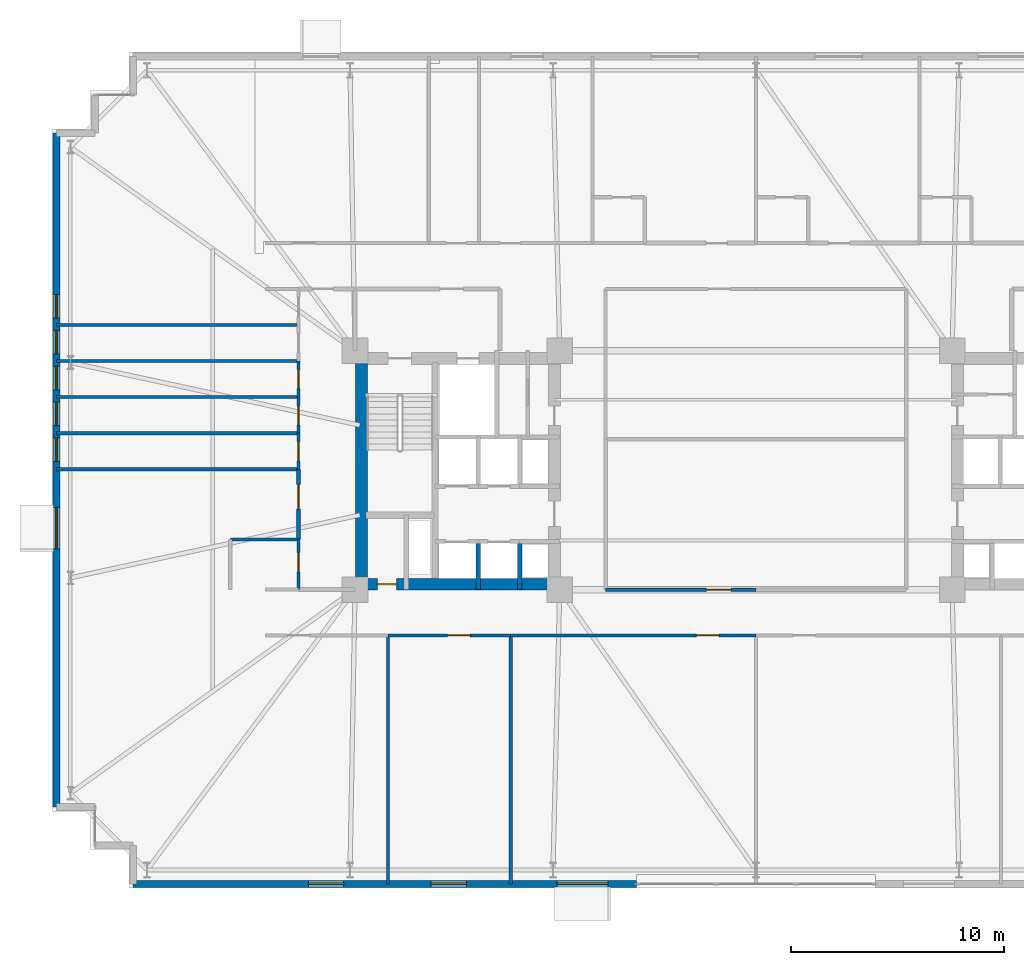
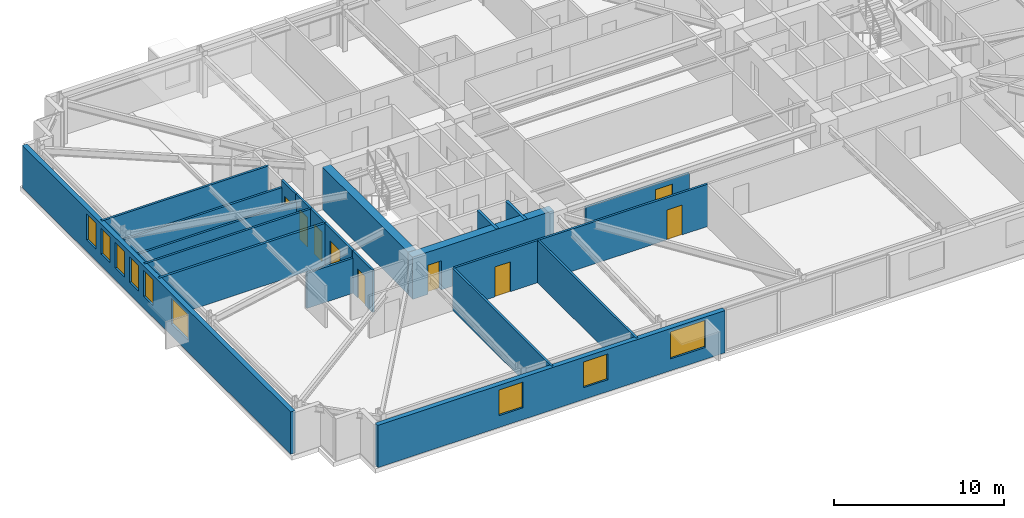
# One storey, part 18 of 26: 22 walls, 9 doors, 9 windows, 18 openings.
"""IFC4 building model written with IfcOpenShell, lengths in metres."""

from ifc_helpers import new_model, si_unit, direction, frame, frame_2d, origin, place, context, subcontext, project, spatial, rectangle, extrude, material, layer, layer_set, type_object, element, fill, save


model = new_model("IFC4")

# Units and contexts
model_context = context("Model", 3, precision=1e-05, world=origin(), true_north=direction((0.0, 1.0)))
body_context = subcontext(model_context, "Body", "Model", "MODEL_VIEW")
ifc_project = project(units=[si_unit("LENGTHUNIT", "METRE"), si_unit("AREAUNIT", "SQUARE_METRE"), si_unit("VOLUMEUNIT", "CUBIC_METRE"), si_unit("PLANEANGLEUNIT", "RADIAN"), si_unit("MASSUNIT", "GRAM", prefix="KILO")], contexts=[model_context])

# Site, building, storey
site_placement = place(None, origin())
site = spatial("IfcSite", under=ifc_project, at=site_placement, CompositionType="ELEMENT")
building_placement = place(site_placement, origin())
building = spatial("IfcBuilding", under=site, at=building_placement, Name="Qobustan Lattice House", CompositionType="ELEMENT")
storey_placement = place(building_placement, frame((0.0, 0.0, 47.10009765625)))
storey = spatial("IfcBuildingStorey", under=building, at=storey_placement, Name="L12", CompositionType="ELEMENT", Elevation=47.10009765625)

# Wall, opening, door
ifc_material_1 = material(Name="Concrete C60/75", Category="concrete")
ifc_layer_1 = layer(ifc_material_1, 0.56005859375)
ifc_layer_set_1 = layer_set([ifc_layer_1], Name="Concrete C60/75")
wall_type_1 = type_object("IfcWallType", Name="WAL-CORE-600", PredefinedType="SHEAR", material=ifc_layer_set_1)
wall_1_placement = place(storey_placement, frame((-18.800048828125, -5.35009765625, 0.0), z_axis=(0.0, 0.0, 1.0), x_axis=(1.0, 0.0, 0.0)))
wall_1 = element("IfcWall", 1, at=wall_1_placement, inside=storey, type_object=wall_type_1, Name="L12 split-core shear wall CW-S", PredefinedType="SHEAR", context=body_context, shape_type="SweptSolid", body=[
    extrude(rectangle(XDim=9.60009765625, YDim=0.56005859375, at=frame_2d((4.800048828125, 0.0))), origin(), (0.0, 0.0, 1.0), 3.034912109375),
])
opening_1_placement = place(wall_1_placement, frame((1.050048828125, 0.0, 0.0)))
opening_1 = element("IfcOpeningElement", 2, at=opening_1_placement, cuts=wall_1, Name="Opening RD-01", PredefinedType="OPENING", context=body_context, shape_type="SweptSolid", body=[
    extrude(rectangle(XDim=0.89990234375, YDim=2.10009765625, at=frame_2d((0.449951171875, 1.050048828125))), frame((0.0, 0.2900390625, 0.0), z_axis=(0.0, -1.0, 0.0), x_axis=(1.0, 0.0, 0.0)), (0.0, 0.0, 1.0), 0.580078125),
])
ifc_material_2 = material(Name="Persian walnut timber and steel frame door", Category="steel")
door_type_1 = type_object("IfcDoorType", Name="DOR-RISER-FD-900x2100", OperationType="NOTDEFINED", PredefinedType="DOOR", material=ifc_material_2)
door_1_placement = place(opening_1_placement, origin())
door_1 = element("IfcDoor", 3, at=door_1_placement, inside=storey, type_object=door_type_1, Name="L12 core service riser access door W", OperationType="SINGLE_SWING_RIGHT", OverallHeight=2.10009765625, OverallWidth=0.89990234375, PredefinedType="DOOR", context=body_context, shape_type="SweptSolid", body=[
    extrude(rectangle(XDim=0.89990234375, YDim=2.10009765625, at=frame_2d((0.449951171875, 1.050048828125))), frame((0.0, 0.02490234375, 0.0), z_axis=(0.0, -1.0, 0.0), x_axis=(1.0, 0.0, 0.0)), (0.0, 0.0, 1.0), 0.050048828125),
])
fill(opening_1, door_1)

# Wall
wall_2_placement = place(storey_placement, frame((-18.489990234375, -5.050048828125, 0.0), z_axis=(0.0, 0.0, 1.0), x_axis=(0.0, 1.0, 0.0)))
element("IfcWall", 4, at=wall_2_placement, inside=storey, type_object=wall_type_1, Name="L12 split-core shear wall CW-W", PredefinedType="SHEAR", context=body_context, shape_type="SweptSolid", body=[
    extrude(rectangle(XDim=10.10009765625, YDim=0.56005859375, at=frame_2d((5.050048828125, 0.0))), origin(), (0.0, 0.0, 1.0), 3.034912109375),
])

# Wall, openings, windows
ifc_material_3 = material(Name="Precast concrete C40/50", Category="concrete")
ifc_layer_2 = layer(ifc_material_3, 0.320068359375)
ifc_layer_set_2 = layer_set([ifc_layer_2], Name="Precast concrete C40/50")
wall_type_2 = type_object("IfcWallType", Name="WAL-EXT-STONE-320", PredefinedType="SOLIDWALL", material=ifc_layer_set_2)
wall_3_placement = place(storey_placement, frame((-32.800048828125, -15.800048828125, 0.0), z_axis=(0.0, 0.0, 1.0), x_axis=(0.0, 1.0, 0.0)))
wall_3 = element("IfcWall", 5, at=wall_3_placement, inside=storey, type_object=wall_type_2, Name="L12 exterior limestone-clad wall 5", PredefinedType="SOLIDWALL", context=body_context, shape_type="SweptSolid", body=[
    extrude(rectangle(XDim=31.60009765625, YDim=0.320068359375, at=frame_2d((15.800048828125, 0.0))), origin(), (0.0, 0.0, 1.0), 3.034912109375),
])
opening_2_placement = place(wall_3_placement, frame((12.10498046875, 0.0, 0.85009765625)))
opening_2 = element("IfcOpeningElement", 6, at=opening_2_placement, cuts=wall_3, Name="Opening WN-08", PredefinedType="OPENING", context=body_context, shape_type="SweptSolid", body=[
    extrude(rectangle(XDim=1.949951171875, YDim=1.85009765625, at=frame_2d((0.97509765625, 0.925048828125))), frame((0.0, 0.169921875, 0.0), z_axis=(0.0, -1.0, 0.0), x_axis=(1.0, 0.0, 0.0)), (0.0, 0.0, 1.0), 0.340087890625),
])
opening_3_placement = place(wall_3_placement, frame((16.2099609375, 0.0, 0.85009765625)))
opening_3 = element("IfcOpeningElement", 7, at=opening_3_placement, cuts=wall_3, Name="Opening WN-04", PredefinedType="OPENING", context=body_context, shape_type="SweptSolid", body=[
    extrude(rectangle(XDim=1.10009765625, YDim=1.85009765625, at=frame_2d((0.550048828125, 0.925048828125))), frame((0.0, 0.169921875, 0.0), z_axis=(0.0, -1.0, 0.0), x_axis=(1.0, 0.0, 0.0)), (0.0, 0.0, 1.0), 0.340087890625),
])
opening_4_placement = place(wall_3_placement, frame((17.889892578125, 0.0, 0.85009765625)))
opening_4 = element("IfcOpeningElement", 8, at=opening_4_placement, cuts=wall_3, Name="Opening WN-04", PredefinedType="OPENING", context=body_context, shape_type="SweptSolid", body=[
    extrude(rectangle(XDim=1.10009765625, YDim=1.85009765625, at=frame_2d((0.550048828125, 0.925048828125))), frame((0.0, 0.169921875, 0.0), z_axis=(0.0, -1.0, 0.0), x_axis=(1.0, 0.0, 0.0)), (0.0, 0.0, 1.0), 0.340087890625),
])
opening_5_placement = place(wall_3_placement, frame((19.570068359375, 0.0, 0.85009765625)))
opening_5 = element("IfcOpeningElement", 9, at=opening_5_placement, cuts=wall_3, Name="Opening WN-04", PredefinedType="OPENING", context=body_context, shape_type="SweptSolid", body=[
    extrude(rectangle(XDim=1.10009765625, YDim=1.85009765625, at=frame_2d((0.550048828125, 0.925048828125))), frame((0.0, 0.169921875, 0.0), z_axis=(0.0, -1.0, 0.0), x_axis=(1.0, 0.0, 0.0)), (0.0, 0.0, 1.0), 0.340087890625),
])
opening_6_placement = place(wall_3_placement, frame((21.25, 0.0, 0.85009765625)))
opening_6 = element("IfcOpeningElement", 10, at=opening_6_placement, cuts=wall_3, Name="Opening WN-04", PredefinedType="OPENING", context=body_context, shape_type="SweptSolid", body=[
    extrude(rectangle(XDim=1.10009765625, YDim=1.85009765625, at=frame_2d((0.550048828125, 0.925048828125))), frame((0.0, 0.169921875, 0.0), z_axis=(0.0, -1.0, 0.0), x_axis=(1.0, 0.0, 0.0)), (0.0, 0.0, 1.0), 0.340087890625),
])
opening_7_placement = place(wall_3_placement, frame((22.929931640625, 0.0, 0.85009765625)))
opening_7 = element("IfcOpeningElement", 11, at=opening_7_placement, cuts=wall_3, Name="Opening WN-04", PredefinedType="OPENING", context=body_context, shape_type="SweptSolid", body=[
    extrude(rectangle(XDim=1.10009765625, YDim=1.85009765625, at=frame_2d((0.550048828125, 0.925048828125))), frame((0.0, 0.169921875, 0.0), z_axis=(0.0, -1.0, 0.0), x_axis=(1.0, 0.0, 0.0)), (0.0, 0.0, 1.0), 0.340087890625),
])
ifc_material_4 = material(Name="Double-glazed low-E aluminium window", Category="aluminium")
window_type_1 = type_object("IfcWindowType", Name="WIN-KIT-1950x1850", PartitioningType="SINGLE_PANEL", PredefinedType="WINDOW", material=ifc_material_4)
window_1_placement = place(opening_2_placement, origin())
window_1 = element("IfcWindow", 12, at=window_1_placement, inside=storey, type_object=window_type_1, Name="L12 Shared kitchen L12W window", OverallHeight=1.85009765625, OverallWidth=1.949951171875, PartitioningType="SINGLE_PANEL", PredefinedType="WINDOW", context=body_context, shape_type="SweptSolid", body=[
    extrude(rectangle(XDim=1.949951171875, YDim=1.85009765625, at=frame_2d((0.97509765625, 0.925048828125))), frame((0.0, 0.030029296875, 0.0), z_axis=(0.0, -1.0, 0.0), x_axis=(1.0, 0.0, 0.0)), (0.0, 0.0, 1.0), 0.06005859375),
])
fill(opening_2, window_1)
ifc_material_5 = material(Name="Double-glazed low-E aluminium window", Category="aluminium")
window_type_2 = type_object("IfcWindowType", Name="WIN-NAR-1100x1850", PartitioningType="SINGLE_PANEL", PredefinedType="WINDOW", material=ifc_material_5)
window_2_placement = place(opening_3_placement, origin())
window_2 = element("IfcWindow", 13, at=window_2_placement, inside=storey, type_object=window_type_2, Name="L12 Cluster bedroom L12W1 window", OverallHeight=1.85009765625, OverallWidth=1.10009765625, PartitioningType="SINGLE_PANEL", PredefinedType="WINDOW", context=body_context, shape_type="SweptSolid", body=[
    extrude(rectangle(XDim=1.10009765625, YDim=1.85009765625, at=frame_2d((0.550048828125, 0.925048828125))), frame((0.0, 0.030029296875, 0.0), z_axis=(0.0, -1.0, 0.0), x_axis=(1.0, 0.0, 0.0)), (0.0, 0.0, 1.0), 0.06005859375),
])
fill(opening_3, window_2)
window_3_placement = place(opening_4_placement, origin())
window_3 = element("IfcWindow", 14, at=window_3_placement, inside=storey, type_object=window_type_2, Name="L12 Cluster bedroom L12W2 window", OverallHeight=1.85009765625, OverallWidth=1.10009765625, PartitioningType="SINGLE_PANEL", PredefinedType="WINDOW", context=body_context, shape_type="SweptSolid", body=[
    extrude(rectangle(XDim=1.10009765625, YDim=1.85009765625, at=frame_2d((0.550048828125, 0.925048828125))), frame((0.0, 0.030029296875, 0.0), z_axis=(0.0, -1.0, 0.0), x_axis=(1.0, 0.0, 0.0)), (0.0, 0.0, 1.0), 0.06005859375),
])
fill(opening_4, window_3)
window_4_placement = place(opening_5_placement, origin())
window_4 = element("IfcWindow", 15, at=window_4_placement, inside=storey, type_object=window_type_2, Name="L12 Cluster bedroom L12W3 window", OverallHeight=1.85009765625, OverallWidth=1.10009765625, PartitioningType="SINGLE_PANEL", PredefinedType="WINDOW", context=body_context, shape_type="SweptSolid", body=[
    extrude(rectangle(XDim=1.10009765625, YDim=1.85009765625, at=frame_2d((0.550048828125, 0.925048828125))), frame((0.0, 0.030029296875, 0.0), z_axis=(0.0, -1.0, 0.0), x_axis=(1.0, 0.0, 0.0)), (0.0, 0.0, 1.0), 0.06005859375),
])
fill(opening_5, window_4)
window_5_placement = place(opening_6_placement, origin())
window_5 = element("IfcWindow", 16, at=window_5_placement, inside=storey, type_object=window_type_2, Name="L12 Cluster bedroom L12W4 window", OverallHeight=1.85009765625, OverallWidth=1.10009765625, PartitioningType="SINGLE_PANEL", PredefinedType="WINDOW", context=body_context, shape_type="SweptSolid", body=[
    extrude(rectangle(XDim=1.10009765625, YDim=1.85009765625, at=frame_2d((0.550048828125, 0.925048828125))), frame((0.0, 0.030029296875, 0.0), z_axis=(0.0, -1.0, 0.0), x_axis=(1.0, 0.0, 0.0)), (0.0, 0.0, 1.0), 0.06005859375),
])
fill(opening_6, window_5)
window_6_placement = place(opening_7_placement, origin())
window_6 = element("IfcWindow", 17, at=window_6_placement, inside=storey, type_object=window_type_2, Name="L12 Cluster bedroom L12W5 window", OverallHeight=1.85009765625, OverallWidth=1.10009765625, PartitioningType="SINGLE_PANEL", PredefinedType="WINDOW", context=body_context, shape_type="SweptSolid", body=[
    extrude(rectangle(XDim=1.10009765625, YDim=1.85009765625, at=frame_2d((0.550048828125, 0.925048828125))), frame((0.0, 0.030029296875, 0.0), z_axis=(0.0, -1.0, 0.0), x_axis=(1.0, 0.0, 0.0)), (0.0, 0.0, 1.0), 0.06005859375),
])
fill(opening_7, window_6)

wall_4_placement = place(storey_placement, frame((-5.60009765625, -19.39990234375, 0.0), z_axis=(0.0, 0.0, 1.0), x_axis=(-1.0, 0.0, 0.0)))
wall_4 = element("IfcWall", 18, at=wall_4_placement, inside=storey, type_object=wall_type_2, Name="L12 iwan flank stone wall B", PredefinedType="SOLIDWALL", context=body_context, shape_type="SweptSolid", body=[
    extrude(rectangle(XDim=23.599853515625, YDim=0.320068359375, at=frame_2d((11.7998046875, 0.0))), origin(), (0.0, 0.0, 1.0), 3.034912109375),
])
opening_8_placement = place(wall_4_placement, frame((1.330078125, 0.0, 0.85009765625)))
opening_8 = element("IfcOpeningElement", 19, at=opening_8_placement, cuts=wall_4, Name="Opening WN-10", PredefinedType="OPENING", context=body_context, shape_type="SweptSolid", body=[
    extrude(rectangle(XDim=2.39990234375, YDim=1.949951171875, at=frame_2d((1.199951171875, 0.97509765625))), frame((0.0, 0.169921875, 0.0), z_axis=(0.0, -1.0, 0.0), x_axis=(1.0, 0.0, 0.0)), (0.0, 0.0, 1.0), 0.340087890625),
])
opening_9_placement = place(wall_4_placement, frame((7.97509765625, 0.0, 0.85009765625)))
opening_9 = element("IfcOpeningElement", 20, at=opening_9_placement, cuts=wall_4, Name="Opening WN-09", PredefinedType="OPENING", context=body_context, shape_type="SweptSolid", body=[
    extrude(rectangle(XDim=1.64990234375, YDim=1.85009765625, at=frame_2d((0.824951171875, 0.925048828125))), frame((0.0, 0.169921875, 0.0), z_axis=(0.0, -1.0, 0.0), x_axis=(1.0, 0.0, 0.0)), (0.0, 0.0, 1.0), 0.340087890625),
])
opening_10_placement = place(wall_4_placement, frame((13.735107421875, 0.0, 0.85009765625)))
opening_10 = element("IfcOpeningElement", 21, at=opening_10_placement, cuts=wall_4, Name="Opening WN-09", PredefinedType="OPENING", context=body_context, shape_type="SweptSolid", body=[
    extrude(rectangle(XDim=1.64990234375, YDim=1.85009765625, at=frame_2d((0.824951171875, 0.925048828125))), frame((0.0, 0.169921875, 0.0), z_axis=(0.0, -1.0, 0.0), x_axis=(1.0, 0.0, 0.0)), (0.0, 0.0, 1.0), 0.340087890625),
])
ifc_material_6 = material(Name="Double-glazed low-E aluminium window", Category="aluminium")
window_type_3 = type_object("IfcWindowType", Name="WIN-LNG-2400x1950", PartitioningType="SINGLE_PANEL", PredefinedType="WINDOW", material=ifc_material_6)
window_7_placement = place(opening_8_placement, origin())
window_7 = element("IfcWindow", 22, at=window_7_placement, inside=storey, type_object=window_type_3, Name="L12 Walnut iwan sky lounge S2 window", OverallHeight=1.949951171875, OverallWidth=2.39990234375, PartitioningType="SINGLE_PANEL", PredefinedType="WINDOW", context=body_context, shape_type="SweptSolid", body=[
    extrude(rectangle(XDim=2.39990234375, YDim=1.949951171875, at=frame_2d((1.199951171875, 0.97509765625))), frame((0.0, 0.030029296875, 0.0), z_axis=(0.0, -1.0, 0.0), x_axis=(1.0, 0.0, 0.0)), (0.0, 0.0, 1.0), 0.06005859375),
])
fill(opening_8, window_7)
ifc_material_7 = material(Name="Double-glazed low-E aluminium window", Category="aluminium")
window_type_4 = type_object("IfcWindowType", Name="WIN-STU-1650x1850", PartitioningType="SINGLE_PANEL", PredefinedType="WINDOW", material=ifc_material_7)
window_8_placement = place(opening_9_placement, origin())
window_8 = element("IfcWindow", 23, at=window_8_placement, inside=storey, type_object=window_type_4, Name="L12 Focus study room S1B window", OverallHeight=1.85009765625, OverallWidth=1.64990234375, PartitioningType="SINGLE_PANEL", PredefinedType="WINDOW", context=body_context, shape_type="SweptSolid", body=[
    extrude(rectangle(XDim=1.64990234375, YDim=1.85009765625, at=frame_2d((0.824951171875, 0.925048828125))), frame((0.0, 0.030029296875, 0.0), z_axis=(0.0, -1.0, 0.0), x_axis=(1.0, 0.0, 0.0)), (0.0, 0.0, 1.0), 0.06005859375),
])
fill(opening_9, window_8)
window_9_placement = place(opening_10_placement, origin())
window_9 = element("IfcWindow", 24, at=window_9_placement, inside=storey, type_object=window_type_4, Name="L12 Focus study room S1A window", OverallHeight=1.85009765625, OverallWidth=1.64990234375, PartitioningType="SINGLE_PANEL", PredefinedType="WINDOW", context=body_context, shape_type="SweptSolid", body=[
    extrude(rectangle(XDim=1.64990234375, YDim=1.85009765625, at=frame_2d((0.824951171875, 0.925048828125))), frame((0.0, 0.030029296875, 0.0), z_axis=(0.0, -1.0, 0.0), x_axis=(1.0, 0.0, 0.0)), (0.0, 0.0, 1.0), 0.06005859375),
])
fill(opening_10, window_9)

# Wall, opening, door
ifc_material_8 = material(Name="Acoustic twin-stud gypsum partition", Category="gypsum")
ifc_layer_3 = layer(ifc_material_8, 0.14990234375)
ifc_layer_set_3 = layer_set([ifc_layer_3], Name="Acoustic twin-stud gypsum partition")
wall_type_3 = type_object("IfcWallType", Name="WAL-PART-150", PredefinedType="PARTITIONING", material=ifc_layer_set_3)
wall_5_placement = place(storey_placement, frame((-11.5, -7.75, 0.0), z_axis=(0.0, 0.0, 1.0), x_axis=(-1.0, 0.0, 0.0)))
wall_5 = element("IfcWall", 25, at=wall_5_placement, inside=storey, type_object=wall_type_3, Name="L12 interior partition 57", PredefinedType="PARTITIONING", context=body_context, shape_type="SweptSolid", body=[
    extrude(rectangle(XDim=5.75, YDim=0.14990234375, at=frame_2d((2.875, 0.0))), origin(), (0.0, 0.0, 1.0), 3.034912109375),
])
opening_11_placement = place(wall_5_placement, frame((1.907470703125, 0.0, 0.0)))
opening_11 = element("IfcOpeningElement", 26, at=opening_11_placement, cuts=wall_5, Name="Opening ID-02", PredefinedType="OPENING", context=body_context, shape_type="SweptSolid", body=[
    extrude(rectangle(XDim=1.050048828125, YDim=2.14990234375, at=frame_2d((0.52490234375, 1.074951171875))), frame((0.0, 0.0849609375, 0.0), z_axis=(0.0, -1.0, 0.0), x_axis=(1.0, 0.0, 0.0)), (0.0, 0.0, 1.0), 0.169921875),
])
ifc_material_9 = material(Name="Persian walnut timber and steel frame door", Category="steel")
door_type_2 = type_object("IfcDoorType", Name="DOR-STUDY-1050x2150", OperationType="NOTDEFINED", PredefinedType="DOOR", material=ifc_material_9)
door_2_placement = place(opening_11_placement, origin())
door_2 = element("IfcDoor", 27, at=door_2_placement, inside=storey, type_object=door_type_2, Name="L12 South-west floor corridor to Focus study room S1B door", OperationType="SINGLE_SWING_LEFT", OverallHeight=2.14990234375, OverallWidth=1.050048828125, PredefinedType="DOOR", context=body_context, shape_type="SweptSolid", body=[
    extrude(rectangle(XDim=1.050048828125, YDim=2.14990234375, at=frame_2d((0.52490234375, 1.074951171875))), frame((0.0, 0.02490234375, 0.0), z_axis=(0.0, -1.0, 0.0), x_axis=(1.0, 0.0, 0.0)), (0.0, 0.0, 1.0), 0.050048828125),
])
fill(opening_11, door_2)

wall_6_placement = place(storey_placement, frame((0.0, -7.75, 0.0), z_axis=(0.0, 0.0, 1.0), x_axis=(-1.0, 0.0, 0.0)))
wall_6 = element("IfcWall", 28, at=wall_6_placement, inside=storey, type_object=wall_type_3, Name="L12 interior partition 58", PredefinedType="PARTITIONING", context=body_context, shape_type="SweptSolid", body=[
    extrude(rectangle(XDim=11.5, YDim=0.14990234375, at=frame_2d((5.75, 0.0))), origin(), (0.0, 0.0, 1.0), 3.034912109375),
])
opening_12_placement = place(wall_6_placement, frame((1.7412109375, 0.0, 0.0)))
opening_12 = element("IfcOpeningElement", 29, at=opening_12_placement, cuts=wall_6, Name="Opening ID-02", PredefinedType="OPENING", context=body_context, shape_type="SweptSolid", body=[
    extrude(rectangle(XDim=1.050048828125, YDim=2.14990234375, at=frame_2d((0.52490234375, 1.074951171875))), frame((0.0, 0.0849609375, 0.0), z_axis=(0.0, -1.0, 0.0), x_axis=(1.0, 0.0, 0.0)), (0.0, 0.0, 1.0), 0.169921875),
])
door_3_placement = place(opening_12_placement, origin())
door_3 = element("IfcDoor", 30, at=door_3_placement, inside=storey, type_object=door_type_2, Name="L12 South-west floor corridor to Walnut iwan sky lounge S2 door", OperationType="SINGLE_SWING_RIGHT", OverallHeight=2.14990234375, OverallWidth=1.050048828125, PredefinedType="DOOR", context=body_context, shape_type="SweptSolid", body=[
    extrude(rectangle(XDim=1.050048828125, YDim=2.14990234375, at=frame_2d((0.52490234375, 1.074951171875))), frame((0.0, 0.02490234375, 0.0), z_axis=(0.0, -1.0, 0.0), x_axis=(1.0, 0.0, 0.0)), (0.0, 0.0, 1.0), 0.050048828125),
])
fill(opening_12, door_3)

wall_7_placement = place(storey_placement, frame((-21.449951171875, 0.0400390625, 0.0), z_axis=(0.0, 0.0, 1.0), x_axis=(0.0, 1.0, 0.0)))
wall_7 = element("IfcWall", 31, at=wall_7_placement, inside=storey, type_object=wall_type_3, Name="L12 interior partition 72", PredefinedType="PARTITIONING", context=body_context, shape_type="SweptSolid", body=[
    extrude(rectangle(XDim=1.69189453125, YDim=0.14990234375, at=frame_2d((0.845947265625, 0.0))), origin(), (0.0, 0.0, 1.0), 3.034912109375),
])
opening_13_placement = place(wall_7_placement, frame((0.39599609375, 0.0, 0.0)))
opening_13 = element("IfcOpeningElement", 32, at=opening_13_placement, cuts=wall_7, Name="Opening WD-01", PredefinedType="OPENING", context=body_context, shape_type="SweptSolid", body=[
    extrude(rectangle(XDim=0.89990234375, YDim=2.10009765625, at=frame_2d((0.449951171875, 1.050048828125))), frame((0.0, 0.0849609375, 0.0), z_axis=(0.0, -1.0, 0.0), x_axis=(1.0, 0.0, 0.0)), (0.0, 0.0, 1.0), 0.169921875),
])
ifc_material_10 = material(Name="Persian walnut timber and steel frame door", Category="steel")
door_type_3 = type_object("IfcDoorType", Name="DOR-WET-900x2100", OperationType="NOTDEFINED", PredefinedType="DOOR", material=ifc_material_10)
door_4_placement = place(opening_13_placement, origin())
door_4 = element("IfcDoor", 33, at=door_4_placement, inside=storey, type_object=door_type_3, Name="L12 Residence entrance hall L12W to Cluster bedroom L12W1 door", OperationType="SINGLE_SWING_LEFT", OverallHeight=2.10009765625, OverallWidth=0.89990234375, PredefinedType="DOOR", context=body_context, shape_type="SweptSolid", body=[
    extrude(rectangle(XDim=0.89990234375, YDim=2.10009765625, at=frame_2d((0.449951171875, 1.050048828125))), frame((0.0, 0.02490234375, 0.0), z_axis=(0.0, -1.0, 0.0), x_axis=(1.0, 0.0, 0.0)), (0.0, 0.0, 1.0), 0.050048828125),
])
fill(opening_13, door_4)

wall_8_placement = place(storey_placement, frame((-21.449951171875, 1.73193359375, 0.0), z_axis=(0.0, 0.0, 1.0), x_axis=(0.0, 1.0, 0.0)))
wall_8 = element("IfcWall", 34, at=wall_8_placement, inside=storey, type_object=wall_type_3, Name="L12 interior partition 73", PredefinedType="PARTITIONING", context=body_context, shape_type="SweptSolid", body=[
    extrude(rectangle(XDim=1.692138671875, YDim=0.14990234375, at=frame_2d((0.84619140625, 0.0))), origin(), (0.0, 0.0, 1.0), 3.034912109375),
])
opening_14_placement = place(wall_8_placement, frame((0.39599609375, 0.0, 0.0)))
opening_14 = element("IfcOpeningElement", 35, at=opening_14_placement, cuts=wall_8, Name="Opening WD-01", PredefinedType="OPENING", context=body_context, shape_type="SweptSolid", body=[
    extrude(rectangle(XDim=0.89990234375, YDim=2.10009765625, at=frame_2d((0.449951171875, 1.050048828125))), frame((0.0, 0.0849609375, 0.0), z_axis=(0.0, -1.0, 0.0), x_axis=(1.0, 0.0, 0.0)), (0.0, 0.0, 1.0), 0.169921875),
])
door_5_placement = place(opening_14_placement, origin())
door_5 = element("IfcDoor", 36, at=door_5_placement, inside=storey, type_object=door_type_3, Name="L12 Residence entrance hall L12W to Cluster bedroom L12W2 door", OperationType="SINGLE_SWING_RIGHT", OverallHeight=2.10009765625, OverallWidth=0.89990234375, PredefinedType="DOOR", context=body_context, shape_type="SweptSolid", body=[
    extrude(rectangle(XDim=0.89990234375, YDim=2.10009765625, at=frame_2d((0.449951171875, 1.050048828125))), frame((0.0, 0.02490234375, 0.0), z_axis=(0.0, -1.0, 0.0), x_axis=(1.0, 0.0, 0.0)), (0.0, 0.0, 1.0), 0.050048828125),
])
fill(opening_14, door_5)

wall_9_placement = place(storey_placement, frame((-21.449951171875, 3.424072265625, 0.0), z_axis=(0.0, 0.0, 1.0), x_axis=(0.0, 1.0, 0.0)))
wall_9 = element("IfcWall", 37, at=wall_9_placement, inside=storey, type_object=wall_type_3, Name="L12 interior partition 74", PredefinedType="PARTITIONING", context=body_context, shape_type="SweptSolid", body=[
    extrude(rectangle(XDim=1.69189453125, YDim=0.14990234375, at=frame_2d((0.845947265625, 0.0))), origin(), (0.0, 0.0, 1.0), 3.034912109375),
])
opening_15_placement = place(wall_9_placement, frame((0.39599609375, 0.0, 0.0)))
opening_15 = element("IfcOpeningElement", 38, at=opening_15_placement, cuts=wall_9, Name="Opening WD-01", PredefinedType="OPENING", context=body_context, shape_type="SweptSolid", body=[
    extrude(rectangle(XDim=0.89990234375, YDim=2.10009765625, at=frame_2d((0.449951171875, 1.050048828125))), frame((0.0, 0.0849609375, 0.0), z_axis=(0.0, -1.0, 0.0), x_axis=(1.0, 0.0, 0.0)), (0.0, 0.0, 1.0), 0.169921875),
])
door_6_placement = place(opening_15_placement, origin())
door_6 = element("IfcDoor", 39, at=door_6_placement, inside=storey, type_object=door_type_3, Name="L12 Residence entrance hall L12W to Cluster bedroom L12W3 door", OperationType="SINGLE_SWING_LEFT", OverallHeight=2.10009765625, OverallWidth=0.89990234375, PredefinedType="DOOR", context=body_context, shape_type="SweptSolid", body=[
    extrude(rectangle(XDim=0.89990234375, YDim=2.10009765625, at=frame_2d((0.449951171875, 1.050048828125))), frame((0.0, 0.02490234375, 0.0), z_axis=(0.0, -1.0, 0.0), x_axis=(1.0, 0.0, 0.0)), (0.0, 0.0, 1.0), 0.050048828125),
])
fill(opening_15, door_6)

# Walls
wall_10_placement = place(storey_placement, frame((-32.800048828125, 1.73193359375, 0.0), z_axis=(0.0, 0.0, 1.0), x_axis=(1.0, 0.0, 0.0)))
element("IfcWall", 40, at=wall_10_placement, inside=storey, type_object=wall_type_3, Name="L12 interior partition 80", PredefinedType="PARTITIONING", context=body_context, shape_type="SweptSolid", body=[
    extrude(rectangle(XDim=11.35009765625, YDim=0.14990234375, at=frame_2d((5.675048828125, 0.0))), origin(), (0.0, 0.0, 1.0), 3.034912109375),
])
for number, where, z_axis, x_axis, name in (
    (41, (-32.800048828125, 3.424072265625, 0.0), (0.0, 0.0, 1.0), (1.0, 0.0, 0.0), "L12 interior partition 81"),
    (42, (-32.800048828125, 5.115966796875, 0.0), (0.0, 0.0, 1.0), (1.0, 0.0, 0.0), "L12 interior partition 82"),
):
    element("IfcWall", number, at=place(storey_placement, frame(where, z_axis=z_axis, x_axis=x_axis)), inside=storey, type_object=wall_type_3, Name=name, PredefinedType="PARTITIONING", context=body_context, shape_type="SweptSolid", body=[
        extrude(rectangle(XDim=11.35009765625, YDim=0.14990234375, at=frame_2d((5.675048828125, 0.0))), origin(), (0.0, 0.0, 1.0), 2.52001953125),
    ])
wall_11_placement = place(storey_placement, frame((-32.800048828125, 6.80810546875, 0.0), z_axis=(0.0, 0.0, 1.0), x_axis=(1.0, 0.0, 0.0)))
element("IfcWall", 43, at=wall_11_placement, inside=storey, type_object=wall_type_3, Name="L12 interior partition 83", PredefinedType="PARTITIONING", context=body_context, shape_type="SweptSolid", body=[
    extrude(rectangle(XDim=11.35009765625, YDim=0.14990234375, at=frame_2d((5.675048828125, 0.0))), origin(), (0.0, 0.0, 1.0), 3.034912109375),
])
for number, where, z_axis, x_axis, name in (
    (44, (-17.25, -7.75, 0.0), (0.0, 0.0, 1.0), (0.0, -1.0, 0.0), "L12 interior partition 113"),
    (45, (-11.5, -7.75, 0.0), (0.0, 0.0, 1.0), (0.0, -1.0, 0.0), "L12 interior partition 114"),
):
    element("IfcWall", number, at=place(storey_placement, frame(where, z_axis=z_axis, x_axis=x_axis)), inside=storey, type_object=wall_type_3, Name=name, PredefinedType="PARTITIONING", context=body_context, shape_type="SweptSolid", body=[
        extrude(rectangle(XDim=11.64990234375, YDim=0.14990234375, at=frame_2d((5.824951171875, 0.0))), origin(), (0.0, 0.0, 1.0), 3.034912109375),
    ])

# Wall, opening, door
ifc_material_11 = material(Name="High-mass acoustic twin-stud partition", Category="gypsum")
ifc_layer_4 = layer(ifc_material_11, 0.1650390625)
ifc_layer_set_4 = layer_set([ifc_layer_4], Name="High-mass acoustic twin-stud partition")
wall_type_4 = type_object("IfcWallType", Name="WAL-PART-165", PredefinedType="PARTITIONING", material=ifc_layer_set_4)
wall_12_placement = place(storey_placement, frame((-7.050048828125, -5.60009765625, 0.0), z_axis=(0.0, 0.0, 1.0), x_axis=(1.0, 0.0, 0.0)))
wall_12 = element("IfcWall", 46, at=wall_12_placement, inside=storey, type_object=wall_type_4, Name="L12 interior partition 59", PredefinedType="PARTITIONING", context=body_context, shape_type="SweptSolid", body=[
    extrude(rectangle(XDim=7.050048828125, YDim=0.1650390625, at=frame_2d((3.52490234375, 0.0))), origin(), (0.0, 0.0, 1.0), 2.52001953125),
])
opening_16_placement = place(wall_12_placement, frame((4.7275390625, 0.0, 0.0)))
opening_16 = element("IfcOpeningElement", 47, at=opening_16_placement, cuts=wall_12, Name="Opening ID-03", PredefinedType="OPENING", context=body_context, shape_type="SweptSolid", body=[
    extrude(rectangle(XDim=1.14990234375, YDim=2.14990234375, at=frame_2d((0.574951171875, 1.074951171875))), frame((0.0, 0.092529296875, 0.0), z_axis=(0.0, -1.0, 0.0), x_axis=(1.0, 0.0, 0.0)), (0.0, 0.0, 1.0), 0.18505859375),
])
ifc_material_12 = material(Name="Persian walnut timber and steel frame door", Category="steel")
door_type_4 = type_object("IfcDoorType", Name="DOR-KITCH-1150x2150", OperationType="NOTDEFINED", PredefinedType="DOOR", material=ifc_material_12)
door_7_placement = place(opening_16_placement, origin())
door_7 = element("IfcDoor", 48, at=door_7_placement, inside=storey, type_object=door_type_4, Name="L12 South-west floor corridor to Communal dining kitchen door", OperationType="SINGLE_SWING_LEFT", OverallHeight=2.14990234375, OverallWidth=1.14990234375, PredefinedType="DOOR", context=body_context, shape_type="SweptSolid", body=[
    extrude(rectangle(XDim=1.14990234375, YDim=2.14990234375, at=frame_2d((0.574951171875, 1.074951171875))), frame((0.0, 0.02490234375, 0.0), z_axis=(0.0, -1.0, 0.0), x_axis=(1.0, 0.0, 0.0)), (0.0, 0.0, 1.0), 0.050048828125),
])
fill(opening_16, door_7)

wall_13_placement = place(storey_placement, frame((-21.449951171875, -3.25, 0.0), z_axis=(0.0, 0.0, 1.0), x_axis=(0.0, 1.0, 0.0)))
wall_13 = element("IfcWall", 49, at=wall_13_placement, inside=storey, type_object=wall_type_4, Name="L12 interior partition 71", PredefinedType="PARTITIONING", context=body_context, shape_type="SweptSolid", body=[
    extrude(rectangle(XDim=3.2900390625, YDim=0.1650390625, at=frame_2d((1.64501953125, 0.0))), origin(), (0.0, 0.0, 1.0), 3.034912109375),
])
opening_17_placement = place(wall_13_placement, frame((1.4375, 0.0, 0.0)))
opening_17 = element("IfcOpeningElement", 50, at=opening_17_placement, cuts=wall_13, Name="Opening ID-03", PredefinedType="OPENING", context=body_context, shape_type="SweptSolid", body=[
    extrude(rectangle(XDim=1.14990234375, YDim=2.14990234375, at=frame_2d((0.574951171875, 1.074951171875))), frame((0.0, 0.092529296875, 0.0), z_axis=(0.0, -1.0, 0.0), x_axis=(1.0, 0.0, 0.0)), (0.0, 0.0, 1.0), 0.18505859375),
])
door_8_placement = place(opening_17_placement, origin())
door_8 = element("IfcDoor", 51, at=door_8_placement, inside=storey, type_object=door_type_4, Name="L12 Residence entrance hall L12W to Shared kitchen L12W door", OperationType="SINGLE_SWING_RIGHT", OverallHeight=2.14990234375, OverallWidth=1.14990234375, PredefinedType="DOOR", context=body_context, shape_type="SweptSolid", body=[
    extrude(rectangle(XDim=1.14990234375, YDim=2.14990234375, at=frame_2d((0.574951171875, 1.074951171875))), frame((0.0, 0.02490234375, 0.0), z_axis=(0.0, -1.0, 0.0), x_axis=(1.0, 0.0, 0.0)), (0.0, 0.0, 1.0), 0.050048828125),
])
fill(opening_17, door_8)

# Walls
wall_14_placement = place(storey_placement, frame((-32.800048828125, 0.0400390625, 0.0), z_axis=(0.0, 0.0, 1.0), x_axis=(1.0, 0.0, 0.0)))
element("IfcWall", 52, at=wall_14_placement, inside=storey, type_object=wall_type_4, Name="L12 interior partition 79", PredefinedType="PARTITIONING", context=body_context, shape_type="SweptSolid", body=[
    extrude(rectangle(XDim=11.35009765625, YDim=0.1650390625, at=frame_2d((5.675048828125, 0.0))), origin(), (0.0, 0.0, 1.0), 3.034912109375),
])
ifc_material_13 = material(Name="Concrete C40/50", Category="concrete")
ifc_layer_5 = layer(ifc_material_13, 0.199951171875)
ifc_layer_set_5 = layer_set([ifc_layer_5], Name="Concrete C40/50")
wall_type_5 = type_object("IfcWallType", Name="WAL-SHAFT-200", PredefinedType="PARTITIONING", material=ifc_layer_set_5)
for number, where, z_axis, x_axis, name in (
    (53, (-13.02001953125, -5.60009765625, 0.0), (0.0, 0.0, 1.0), (0.0, 1.0, 0.0), "L12 interior partition 15"),
    (54, (-11.080078125, -5.60009765625, 0.0), (0.0, 0.0, 1.0), (0.0, 1.0, 0.0), "L12 interior partition 16"),
):
    element("IfcWall", number, at=place(storey_placement, frame(where, z_axis=z_axis, x_axis=x_axis)), inside=storey, type_object=wall_type_5, Name=name, PredefinedType="PARTITIONING", context=body_context, shape_type="SweptSolid", body=[
        extrude(rectangle(XDim=2.25, YDim=0.199951171875, at=frame_2d((1.125, 0.0))), origin(), (0.0, 0.0, 1.0), 3.034912109375),
    ])

# Wall, opening, door
ifc_material_14 = material(Name="Moisture-resistant acoustic plumbing wall", Category="gypsum")
ifc_layer_6 = layer(ifc_material_14, 0.14990234375)
ifc_layer_set_6 = layer_set([ifc_layer_6], Name="Moisture-resistant acoustic plumbing wall")
wall_type_6 = type_object("IfcWallType", Name="WAL-WET-150", PredefinedType="PLUMBINGWALL", material=ifc_layer_set_6)
wall_15_placement = place(storey_placement, frame((-21.449951171875, -5.60009765625, 0.0), z_axis=(0.0, 0.0, 1.0), x_axis=(0.0, 1.0, 0.0)))
wall_15 = element("IfcWall", 55, at=wall_15_placement, inside=storey, type_object=wall_type_6, Name="L12 interior partition 70", PredefinedType="PLUMBINGWALL", context=body_context, shape_type="SweptSolid", body=[
    extrude(rectangle(XDim=2.35009765625, YDim=0.14990234375, at=frame_2d((1.175048828125, 0.0))), origin(), (0.0, 0.0, 1.0), 3.034912109375),
])
opening_18_placement = place(wall_15_placement, frame((0.833740234375, 0.0, 0.0)))
opening_18 = element("IfcOpeningElement", 56, at=opening_18_placement, cuts=wall_15, Name="Opening WD-01", PredefinedType="OPENING", context=body_context, shape_type="SweptSolid", body=[
    extrude(rectangle(XDim=0.89990234375, YDim=2.10009765625, at=frame_2d((0.449951171875, 1.050048828125))), frame((0.0, 0.0849609375, 0.0), z_axis=(0.0, -1.0, 0.0), x_axis=(1.0, 0.0, 0.0)), (0.0, 0.0, 1.0), 0.169921875),
])
door_9_placement = place(opening_18_placement, origin())
door_9 = element("IfcDoor", 57, at=door_9_placement, inside=storey, type_object=door_type_3, Name="L12 Residence entrance hall L12W to Shared bathroom L12W door", OperationType="SINGLE_SWING_LEFT", OverallHeight=2.10009765625, OverallWidth=0.89990234375, PredefinedType="DOOR", context=body_context, shape_type="SweptSolid", body=[
    extrude(rectangle(XDim=0.89990234375, YDim=2.10009765625, at=frame_2d((0.449951171875, 1.050048828125))), frame((0.0, 0.02490234375, 0.0), z_axis=(0.0, -1.0, 0.0), x_axis=(1.0, 0.0, 0.0)), (0.0, 0.0, 1.0), 0.050048828125),
])
fill(opening_18, door_9)

# Wall
wall_16_placement = place(storey_placement, frame((-24.64990234375, -3.25, 0.0), z_axis=(0.0, 0.0, 1.0), x_axis=(1.0, 0.0, 0.0)))
element("IfcWall", 58, at=wall_16_placement, inside=storey, type_object=wall_type_6, Name="L12 interior partition 77", PredefinedType="PLUMBINGWALL", context=body_context, shape_type="SweptSolid", body=[
    extrude(rectangle(XDim=3.199951171875, YDim=0.14990234375, at=frame_2d((1.60009765625, 0.0))), origin(), (0.0, 0.0, 1.0), 2.52001953125),
])

save(model, "model.ifc")
